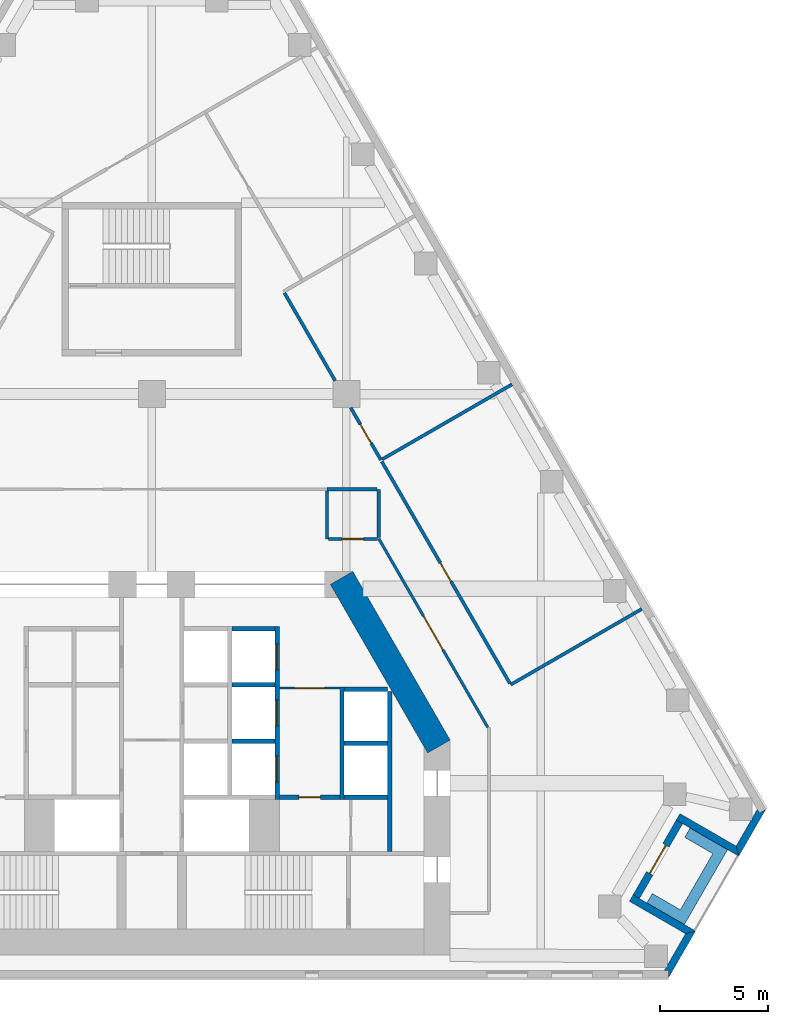
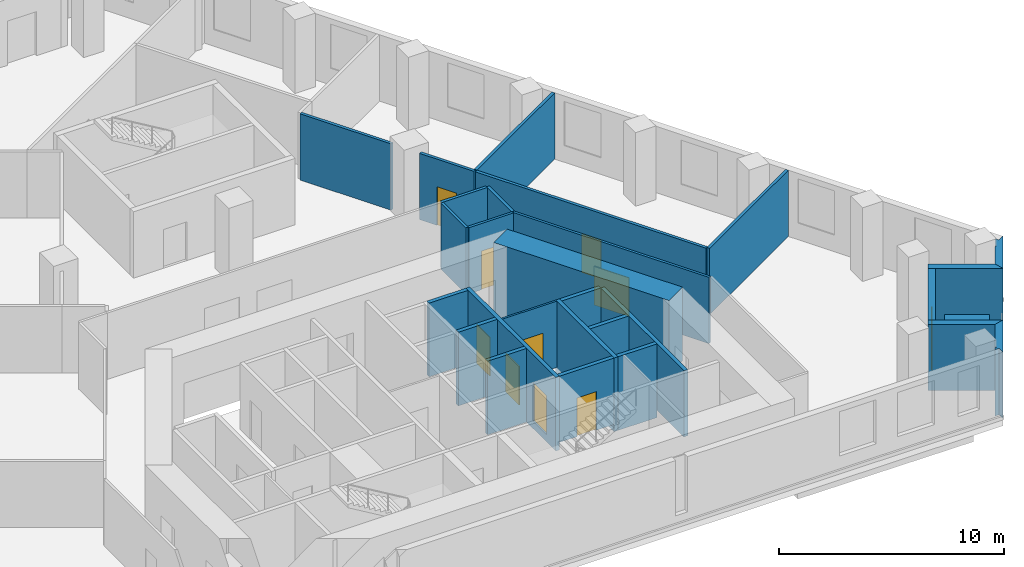
# One storey, part 5 of 7: 28 walls, 10 doors, 10 openings.
"""IFC4 building model written with IfcOpenShell, lengths in metres."""

from ifc_helpers import new_model, si_unit, direction, frame, frame_2d, origin, place, context, subcontext, project, spatial, polyline, rectangle, outline, extrude, material, layer, layer_set, type_object, element, fill, save


model = new_model("IFC4")

# Units and contexts
model_context = context("Model", 3, precision=1e-05, world=origin(), true_north=direction((0.0, 1.0)))
body_context = subcontext(model_context, "Body", "Model", "MODEL_VIEW")
ifc_project = project(units=[si_unit("LENGTHUNIT", "METRE"), si_unit("AREAUNIT", "SQUARE_METRE"), si_unit("VOLUMEUNIT", "CUBIC_METRE"), si_unit("PLANEANGLEUNIT", "RADIAN"), si_unit("MASSUNIT", "GRAM", prefix="KILO")], contexts=[model_context])

# Site, building, storey
site_placement = place(None, origin())
site = spatial("IfcSite", under=ifc_project, at=site_placement, CompositionType="ELEMENT")
building_placement = place(site_placement, origin())
building = spatial("IfcBuilding", under=site, at=building_placement, Name="Fogline Exchange Tower", CompositionType="ELEMENT")
storey_placement = place(building_placement, frame((0.0, 0.0, 166.89990234375)))
storey = spatial("IfcBuildingStorey", under=building, at=storey_placement, Name="L37", CompositionType="ELEMENT", Elevation=166.89990234375)

# Wall, opening, door
ifc_material_1 = material(Name="Blockwork partition", Category="masonry")
ifc_layer_1 = layer(ifc_material_1, 0.10009765625)
ifc_layer_set_1 = layer_set([ifc_layer_1], Name="CW10")
wall_type_1 = type_object("IfcWallType", Name="CW10", PredefinedType="PARTITIONING", material=ifc_layer_set_1)
wall_1_placement = place(storey_placement, frame((5.89990234375, 13.39990234375, 0.0), z_axis=(0.0, 0.0, 1.0), x_axis=(1.0, 0.0, 0.0)))
wall_1 = element("IfcWall", 1, at=wall_1_placement, inside=storey, type_object=wall_type_1, Name="Lift lobby partition", PredefinedType="PARTITIONING", context=body_context, shape_type="SweptSolid", body=[
    extrude(rectangle(XDim=2.800048828125, YDim=0.10009765625, at=frame_2d((1.39990234375, 0.0))), origin(), (0.0, 0.0, 1.0), 3.60009765625),
])
opening_1_placement = place(wall_1_placement, frame((0.699951171875, 0.0, 0.0)))
opening_1 = element("IfcOpeningElement", 2, at=opening_1_placement, cuts=wall_1, Name="Opening T12-C013", PredefinedType="OPENING", context=body_context, shape_type="SweptSolid", body=[
    extrude(rectangle(XDim=1.39990234375, YDim=2.10009765625, at=frame_2d((0.699951171875, 1.050048828125))), frame((0.0, 0.06005859375, 0.0), z_axis=(0.0, -1.0, 0.0), x_axis=(1.0, 0.0, 0.0)), (0.0, 0.0, 1.0), 0.1201171875),
])
ifc_material_2 = material(Name="Steel and timber fire door", Category="steel")
door_type_1 = type_object("IfcDoorType", Name="D-LB1", OperationType="DOUBLE_DOOR_SINGLE_SWING", PredefinedType="DOOR", material=ifc_material_2)
door_1_placement = place(opening_1_placement, frame((1.39990234375, 0.0, 0.0), z_axis=(0.0, 0.0, 1.0), x_axis=(-1.0, 0.0, 0.0)))
door_1 = element("IfcDoor", 3, at=door_1_placement, inside=storey, type_object=door_type_1, Name="Door to lift lobby", OperationType="DOUBLE_DOOR_SINGLE_SWING", OverallHeight=2.10009765625, OverallWidth=1.39990234375, PredefinedType="DOOR", context=body_context, shape_type="SweptSolid", body=[
    extrude(rectangle(XDim=1.39990234375, YDim=2.10009765625, at=frame_2d((0.699951171875, 1.050048828125))), frame((0.0, 0.02490234375, 0.0), z_axis=(0.0, -1.0, 0.0), x_axis=(1.0, 0.0, 0.0)), (0.0, 0.0, 1.0), 0.050048828125),
])
fill(opening_1, door_1)

# Wall
ifc_material_3 = material(Name="Concrete C40", Category="concrete")
ifc_layer_2 = layer(ifc_material_3, 0.199951171875)
ifc_layer_set_2 = layer_set([ifc_layer_2], Name="CW20")
wall_type_2 = type_object("IfcWallType", Name="CW20", PredefinedType="SOLIDWALL", material=ifc_layer_set_2)
wall_2_placement = place(storey_placement, frame((11.0, 5.85009765625, 0.0), z_axis=(0.0, 0.0, 1.0), x_axis=(0.0, 1.0, 0.0)))
element("IfcWall", 4, at=wall_2_placement, inside=storey, type_object=wall_type_2, Name="Service room wall", PredefinedType="SOLIDWALL", context=body_context, shape_type="SweptSolid", body=[
    extrude(rectangle(XDim=7.39990234375, YDim=0.199951171875, at=frame_2d((3.699951171875, 0.0))), origin(), (0.0, 0.0, 1.0), 3.60009765625),
])

# Wall, opening, door
wall_3_placement = place(storey_placement, frame((5.89990234375, 8.35009765625, 0.0), z_axis=(0.0, 0.0, 1.0), x_axis=(1.0, 0.0, 0.0)))
wall_3 = element("IfcWall", 5, at=wall_3_placement, inside=storey, type_object=wall_type_2, Name="WC wall", PredefinedType="SOLIDWALL", context=body_context, shape_type="SweptSolid", body=[
    extrude(rectangle(XDim=2.800048828125, YDim=0.199951171875, at=frame_2d((1.39990234375, 0.0))), origin(), (0.0, 0.0, 1.0), 3.60009765625),
])
opening_2_placement = place(wall_3_placement, frame((0.89990234375, 0.0, 0.0)))
opening_2 = element("IfcOpeningElement", 6, at=opening_2_placement, cuts=wall_3, Name="Opening T12-C014", PredefinedType="OPENING", context=body_context, shape_type="SweptSolid", body=[
    extrude(rectangle(XDim=1.0, YDim=2.10009765625, at=frame_2d((0.5, 1.050048828125))), frame((0.0, 0.10986328125, 0.0), z_axis=(0.0, -1.0, 0.0), x_axis=(1.0, 0.0, 0.0)), (0.0, 0.0, 1.0), 0.219970703125),
])
door_type_2 = type_object("IfcDoorType", Name="D-WC1", OperationType="SINGLE_SWING_LEFT", PredefinedType="DOOR", material=ifc_material_2)
door_2_placement = place(opening_2_placement, frame((1.0, 0.0, 0.0), z_axis=(0.0, 0.0, 1.0), x_axis=(-1.0, 0.0, 0.0)))
door_2 = element("IfcDoor", 7, at=door_2_placement, inside=storey, type_object=door_type_2, Name="Door to Women's WC", OperationType="SINGLE_SWING_LEFT", OverallHeight=2.10009765625, OverallWidth=1.0, PredefinedType="DOOR", context=body_context, shape_type="SweptSolid", body=[
    extrude(rectangle(XDim=1.0, YDim=2.10009765625, at=frame_2d((0.5, 1.050048828125))), frame((0.0, 0.02490234375, 0.0), z_axis=(0.0, -1.0, 0.0), x_axis=(1.0, 0.0, 0.0)), (0.0, 0.0, 1.0), 0.050048828125),
])
fill(opening_2, door_2)

# Wall
ifc_layer_3 = layer(ifc_material_3, 0.199951171875)
ifc_layer_set_3 = layer_set([ifc_layer_3], Name="CW20S")
wall_type_3 = type_object("IfcWallType", Name="CW20S", PredefinedType="SOLIDWALL", material=ifc_layer_set_3)
wall_4_placement = place(storey_placement, frame((8.800048828125, 8.25, -0.39990234375), z_axis=(0.0, 0.0, 1.0), x_axis=(0.0, 1.0, 0.0)))
element("IfcWall", 8, at=wall_4_placement, inside=storey, type_object=wall_type_3, Name="Lift shaft wall", PredefinedType="SOLIDWALL", context=body_context, shape_type="SweptSolid", body=[
    extrude(rectangle(XDim=5.199951171875, YDim=0.199951171875, at=frame_2d((2.60009765625, 0.0))), origin(), (0.0, 0.0, 1.0), 4.0),
])

# Wall, openings, doors
wall_5_placement = place(storey_placement, frame((5.800048828125, 8.25, -0.39990234375), z_axis=(0.0, 0.0, 1.0), x_axis=(0.0, 1.0, 0.0)))
wall_5 = element("IfcWall", 9, at=wall_5_placement, inside=storey, type_object=wall_type_3, Name="Lift shaft wall", PredefinedType="SOLIDWALL", context=body_context, shape_type="SweptSolid", body=[
    extrude(rectangle(XDim=8.0, YDim=0.199951171875, at=frame_2d((4.0, 0.0))), origin(), (0.0, 0.0, 1.0), 4.0),
])
opening_3_placement = place(wall_5_placement, frame((0.800048828125, 0.0, 0.39990234375)))
opening_3 = element("IfcOpeningElement", 10, at=opening_3_placement, cuts=wall_5, Name="Opening T12-LD02", PredefinedType="OPENING", context=body_context, shape_type="SweptSolid", body=[
    extrude(rectangle(XDim=1.199951171875, YDim=2.10009765625, at=frame_2d((0.60009765625, 1.050048828125))), frame((0.0, 0.10986328125, 0.0), z_axis=(0.0, -1.0, 0.0), x_axis=(1.0, 0.0, 0.0)), (0.0, 0.0, 1.0), 0.219970703125),
])
opening_4_placement = place(wall_5_placement, frame((3.39990234375, 0.0, 0.39990234375)))
opening_4 = element("IfcOpeningElement", 11, at=opening_4_placement, cuts=wall_5, Name="Opening T12-LD03", PredefinedType="OPENING", context=body_context, shape_type="SweptSolid", body=[
    extrude(rectangle(XDim=1.199951171875, YDim=2.10009765625, at=frame_2d((0.60009765625, 1.050048828125))), frame((0.0, 0.10986328125, 0.0), z_axis=(0.0, -1.0, 0.0), x_axis=(1.0, 0.0, 0.0)), (0.0, 0.0, 1.0), 0.219970703125),
])
opening_5_placement = place(wall_5_placement, frame((6.0, 0.0, 0.39990234375)))
opening_5 = element("IfcOpeningElement", 12, at=opening_5_placement, cuts=wall_5, Name="Opening T12-LD04", PredefinedType="OPENING", context=body_context, shape_type="SweptSolid", body=[
    extrude(rectangle(XDim=1.199951171875, YDim=2.10009765625, at=frame_2d((0.60009765625, 1.050048828125))), frame((0.0, 0.10986328125, 0.0), z_axis=(0.0, -1.0, 0.0), x_axis=(1.0, 0.0, 0.0)), (0.0, 0.0, 1.0), 0.219970703125),
])
door_type_3 = type_object("IfcDoorType", Name="LD1", OperationType="SLIDING_TO_LEFT", PredefinedType="DOOR", material=ifc_material_2)
door_3_placement = place(opening_3_placement, origin())
door_3 = element("IfcDoor", 13, at=door_3_placement, inside=storey, type_object=door_type_3, Name="Landing door MR1", OperationType="SLIDING_TO_LEFT", OverallHeight=2.10009765625, OverallWidth=1.199951171875, PredefinedType="DOOR", context=body_context, shape_type="SweptSolid", body=[
    extrude(rectangle(XDim=1.199951171875, YDim=2.10009765625, at=frame_2d((0.60009765625, 1.050048828125))), frame((0.0, 0.02490234375, 0.0), z_axis=(0.0, -1.0, 0.0), x_axis=(1.0, 0.0, 0.0)), (0.0, 0.0, 1.0), 0.050048828125),
])
fill(opening_3, door_3)
door_4_placement = place(opening_4_placement, origin())
door_4 = element("IfcDoor", 14, at=door_4_placement, inside=storey, type_object=door_type_3, Name="Landing door MR2", OperationType="SLIDING_TO_LEFT", OverallHeight=2.10009765625, OverallWidth=1.199951171875, PredefinedType="DOOR", context=body_context, shape_type="SweptSolid", body=[
    extrude(rectangle(XDim=1.199951171875, YDim=2.10009765625, at=frame_2d((0.60009765625, 1.050048828125))), frame((0.0, 0.02490234375, 0.0), z_axis=(0.0, -1.0, 0.0), x_axis=(1.0, 0.0, 0.0)), (0.0, 0.0, 1.0), 0.050048828125),
])
fill(opening_4, door_4)
door_5_placement = place(opening_5_placement, origin())
door_5 = element("IfcDoor", 15, at=door_5_placement, inside=storey, type_object=door_type_3, Name="Landing door MR3", OperationType="SLIDING_TO_LEFT", OverallHeight=2.10009765625, OverallWidth=1.199951171875, PredefinedType="DOOR", context=body_context, shape_type="SweptSolid", body=[
    extrude(rectangle(XDim=1.199951171875, YDim=2.10009765625, at=frame_2d((0.60009765625, 1.050048828125))), frame((0.0, 0.02490234375, 0.0), z_axis=(0.0, -1.0, 0.0), x_axis=(1.0, 0.0, 0.0)), (0.0, 0.0, 1.0), 0.050048828125),
])
fill(opening_5, door_5)

# Walls
for number, where, z_axis, x_axis, name in (
    (16, (8.89990234375, 8.35009765625, -0.39990234375), (0.0, 0.0, 1.0), (1.0, 0.0, 0.0), "Lift shaft wall"),
    (17, (8.89990234375, 10.85009765625, -0.39990234375), (0.0, 0.0, 1.0), (1.0, 0.0, 0.0), "Lift shaft wall"),
    (18, (8.89990234375, 13.35009765625, -0.39990234375), (0.0, 0.0, 1.0), (1.0, 0.0, 0.0), "Lift shaft wall"),
    (19, (3.699951171875, 10.949951171875, -0.39990234375), (0.0, 0.0, 1.0), (1.0, 0.0, 0.0), "Lift shaft wall"),
    (20, (3.699951171875, 13.550048828125, -0.39990234375), (0.0, 0.0, 1.0), (1.0, 0.0, 0.0), "Lift shaft wall"),
    (21, (3.699951171875, 16.14990234375, -0.39990234375), (0.0, 0.0, 1.0), (1.0, 0.0, 0.0), "Lift shaft wall"),
):
    element("IfcWall", number, at=place(storey_placement, frame(where, z_axis=z_axis, x_axis=x_axis)), inside=storey, type_object=wall_type_3, Name=name, PredefinedType="SOLIDWALL", context=body_context, shape_type="SweptSolid", body=[
        extrude(rectangle(XDim=2.0, YDim=0.199951171875, at=frame_2d((1.0, 0.0))), origin(), (0.0, 0.0, 1.0), 4.0),
    ])
ifc_material_4 = material(Name="Brick masonry", Category="masonry")
ifc_layer_4 = layer(ifc_material_4, 0.340087890625)
ifc_layer_set_4 = layer_set([ifc_layer_4], Name="FW1")
wall_type_4 = type_object("IfcWallType", Name="FW1", PredefinedType="SOLIDWALL", material=ifc_layer_set_4)
wall_6_placement = place(storey_placement, origin())
element("IfcWall", 22, at=wall_6_placement, inside=storey, type_object=wall_type_4, Name="Brick wall L37 SE-c1", PredefinedType="SOLIDWALL", context=body_context, shape_type="SweptSolid", body=[
    extrude(outline(polyline([(25.15478515625, 2.165771484375), (23.903564453125, -0.001220703125), (23.903076171875, -0.0009765625), (23.903076171875, 0.33935546875), (23.706298828125, 0.33935546875), (23.78466796875, 0.47509765625), (23.851318359375, 0.47509765625), (23.851318359375, 0.590576171875), (24.68896484375, 2.041015625), (25.154541015625, 2.166015625), (25.15478515625, 2.165771484375)])), origin(), (0.0, 0.0, 1.0), 3.60009765625),
])
wall_7_placement = place(storey_placement, origin())
element("IfcWall", 23, at=wall_7_placement, inside=storey, type_object=wall_type_4, Name="Brick wall L37 SE-s1", PredefinedType="SOLIDWALL", context=body_context, shape_type="SweptSolid", body=[
    extrude(outline(polyline([(22.09033203125, 3.540283203125), (22.260986328125, 3.8359375), (22.555908203125, 3.66552734375), (25.155029296875, 2.1650390625), (25.15478515625, 2.164794921875), (24.689208984375, 2.0400390625), (22.09033203125, 3.540283203125)])), origin(), (0.0, 0.0, 1.0), 3.60009765625),
])

# Wall, opening, door
wall_8_placement = place(storey_placement, frame((22.408447265625, 3.75, 0.0), z_axis=(0.0, 0.0, 1.0), x_axis=(0.49999894854, 0.866026010844, 0.0)))
wall_8 = element("IfcWall", 24, at=wall_8_placement, inside=storey, type_object=wall_type_4, Name="Brick wall L37 SE-bk", PredefinedType="SOLIDWALL", context=body_context, shape_type="SweptSolid", body=[
    extrude(rectangle(XDim=4.0, YDim=0.340087890625, at=frame_2d((2.0, 0.0))), origin(), (0.0, 0.0, 1.0), 3.60009765625),
])
opening_6_placement = place(wall_8_placement, frame((1.25, 0.0, 0.0)))
opening_6 = element("IfcOpeningElement", 25, at=opening_6_placement, cuts=wall_8, Name="Opening T12-E081", PredefinedType="OPENING", context=body_context, shape_type="SweptSolid", body=[
    extrude(rectangle(XDim=1.5, YDim=2.39990234375, at=frame_2d((0.75, 1.199951171875))), frame((0.0, 0.18017578125, 0.0), z_axis=(0.0, -1.0, 0.0), x_axis=(1.0, 0.0, 0.0)), (0.0, 0.0, 1.0), 0.360107421875),
])
ifc_material_5 = material(Name="Aluminium and glass", Category="aluminium")
door_type_4 = type_object("IfcDoorType", Name="ED4", OperationType="SINGLE_SWING_LEFT", PredefinedType="DOOR", material=ifc_material_5)
door_6_placement = place(opening_6_placement, frame((1.5, 0.0, 0.0), z_axis=(0.0, 0.0, 1.0), x_axis=(-1.0, 0.0, 0.0)))
door_6 = element("IfcDoor", 26, at=door_6_placement, inside=storey, type_object=door_type_4, Name="Balcony door L37 SE", OperationType="DOUBLE_DOOR_SINGLE_SWING", OverallHeight=2.39990234375, OverallWidth=1.5, PredefinedType="DOOR", context=body_context, shape_type="SweptSolid", body=[
    extrude(rectangle(XDim=1.5, YDim=2.39990234375, at=frame_2d((0.75, 1.199951171875))), frame((0.0, 0.02490234375, 0.0), z_axis=(0.0, -1.0, 0.0), x_axis=(1.0, 0.0, 0.0)), (0.0, 0.0, 1.0), 0.050048828125),
])
fill(opening_6, door_6)

# Walls
wall_9_placement = place(storey_placement, origin())
element("IfcWall", 27, at=wall_9_placement, inside=storey, type_object=wall_type_4, Name="Brick wall L37 SE-s2", PredefinedType="SOLIDWALL", context=body_context, shape_type="SweptSolid", body=[
    extrude(outline(polyline([(27.154296875, 5.628173828125), (24.555419921875, 7.128662109375), (24.26025390625, 7.298828125), (24.430908203125, 7.594482421875), (27.02978515625, 6.093994140625), (27.154541015625, 5.62841796875), (27.154296875, 5.628173828125)])), origin(), (0.0, 0.0, 1.0), 3.60009765625),
])
wall_10_placement = place(storey_placement, origin())
element("IfcWall", 28, at=wall_10_placement, inside=storey, type_object=wall_type_4, Name="Brick wall L37 SE-c2", PredefinedType="SOLIDWALL", context=body_context, shape_type="SweptSolid", body=[
    extrude(outline(polyline([(27.707275390625, 7.269287109375), (27.77392578125, 7.269287109375), (27.77392578125, 7.384765625), (28.010986328125, 7.79541015625), (28.109375, 7.625), (28.404296875, 7.79541015625), (28.40478515625, 7.794921875), (27.15380859375, 5.6279296875), (27.1533203125, 5.6279296875), (27.028564453125, 6.09375), (27.707275390625, 7.269287109375)])), origin(), (0.0, 0.0, 1.0), 3.60009765625),
])
ifc_material_6 = material(Name="Concrete C30", Category="concrete")
ifc_layer_5 = layer(ifc_material_6, 0.199951171875)
ifc_layer_set_5 = layer_set([ifc_layer_5], Name="PL1")
wall_type_5 = type_object("IfcWallType", Name="PL1", PredefinedType="USERDEFINED", material=ifc_layer_set_5)
wall_11_placement = place(storey_placement, origin())
element("IfcWall", 29, at=wall_11_placement, inside=storey, type_object=wall_type_5, Name="PLANTER balcony L37 SE", ObjectType="PLANTER", PredefinedType="USERDEFINED", context=body_context, shape_type="SweptSolid", body=[
    extrude(outline(polyline([(22.902099609375, 3.465087890625), (24.201171875, 2.715087890625), (24.201171875, 2.715087890625), (24.634033203125, 2.465087890625), (26.384033203125, 5.49609375), (26.634033203125, 5.92919921875), (24.902099609375, 6.92919921875), (24.652099609375, 6.49609375), (25.951171875, 5.74609375), (24.451171875, 3.148193359375), (23.152099609375, 3.898193359375), (22.902099609375, 3.465087890625)])), origin(), (0.0, 0.0, 1.0), 1.10009765625),
])

# Wall, opening, door
ifc_material_7 = material(Name="Plasterboard corridor partition with mineral wool, 2 layers each side")
ifc_layer_6 = layer(ifc_material_7, 0.125)
ifc_layer_set_6 = layer_set([ifc_layer_6], Name="PW2")
wall_type_6 = type_object("IfcWallType", Name="PW2", PredefinedType="PARTITIONING", material=ifc_layer_set_6)
wall_12_placement = place(storey_placement, frame((10.5, 20.314697265625, 0.0), z_axis=(0.0, 0.0, 1.0), x_axis=(0.500011923756, -0.866018519491, 0.0)))
wall_12 = element("IfcWall", 30, at=wall_12_placement, inside=storey, type_object=wall_type_6, Name="wall-L37-W001", PredefinedType="PARTITIONING", context=body_context, shape_type="SweptSolid", body=[
    extrude(rectangle(XDim=10.074951171875, YDim=0.125, at=frame_2d((5.03759765625, 0.0))), origin(), (0.0, 0.0, 1.0), 3.60009765625),
])
opening_7_placement = place(wall_12_placement, frame((4.137451171875, 0.0, 0.0)))
opening_7 = element("IfcOpeningElement", 31, at=opening_7_placement, cuts=wall_12, Name="Opening T12-D001", PredefinedType="OPENING", context=body_context, shape_type="SweptSolid", body=[
    extrude(rectangle(XDim=1.800048828125, YDim=2.10009765625, at=frame_2d((0.89990234375, 1.050048828125))), frame((0.0, 0.072509765625, 0.0), z_axis=(0.0, -1.0, 0.0), x_axis=(1.0, 0.0, 0.0)), (0.0, 0.0, 1.0), 0.14501953125),
])
ifc_material_8 = material(Name="Fire-rated timber door leaves with steel frame", Category="steel")
door_type_5 = type_object("IfcDoorType", Name="D4", OperationType="DOUBLE_DOOR_SINGLE_SWING", PredefinedType="DOOR", material=ifc_material_8)
door_7_placement = place(opening_7_placement, frame((1.800048828125, 0.0, 0.0), z_axis=(0.0, 0.0, 1.0), x_axis=(-1.0, 0.0, 0.0)))
door_7 = element("IfcDoor", 32, at=door_7_placement, inside=storey, type_object=door_type_5, Name="door-L37-D001", OperationType="DOUBLE_DOOR_SINGLE_SWING", OverallHeight=2.10009765625, OverallWidth=1.800048828125, PredefinedType="DOOR", context=body_context, shape_type="SweptSolid", body=[
    extrude(rectangle(XDim=1.800048828125, YDim=2.10009765625, at=frame_2d((0.89990234375, 1.050048828125))), frame((0.0, 0.02490234375, 0.0), z_axis=(0.0, -1.0, 0.0), x_axis=(1.0, 0.0, 0.0)), (0.0, 0.0, 1.0), 0.050048828125),
])
fill(opening_7, door_7)

# Wall
wall_13_placement = place(storey_placement, frame((8.10009765625, 22.5244140625, 0.0), z_axis=(0.0, 0.0, 1.0), x_axis=(0.0, -1.0, 0.0)))
element("IfcWall", 33, at=wall_13_placement, inside=storey, type_object=wall_type_6, Name="wall-L37-W004", PredefinedType="PARTITIONING", context=body_context, shape_type="SweptSolid", body=[
    extrude(rectangle(XDim=2.224365234375, YDim=0.125, at=frame_2d((1.1123046875, 0.0))), origin(), (0.0, 0.0, 1.0), 3.60009765625),
])

# Wall, opening, door
wall_14_placement = place(storey_placement, frame((8.16259765625, 20.300048828125, 0.0), z_axis=(0.0, 0.0, 1.0), x_axis=(1.0, 0.0, 0.0)))
wall_14 = element("IfcWall", 34, at=wall_14_placement, inside=storey, type_object=wall_type_6, Name="wall-L37-W005", PredefinedType="PARTITIONING", context=body_context, shape_type="SweptSolid", body=[
    extrude(rectangle(XDim=2.28271484375, YDim=0.125, at=frame_2d((1.141357421875, 0.0))), origin(), (0.0, 0.0, 1.0), 3.60009765625),
])
opening_8_placement = place(wall_14_placement, frame((0.6416015625, 0.0, 0.0)))
opening_8 = element("IfcOpeningElement", 35, at=opening_8_placement, cuts=wall_14, Name="Opening T12-D002", PredefinedType="OPENING", context=body_context, shape_type="SweptSolid", body=[
    extrude(rectangle(XDim=1.0, YDim=2.10009765625, at=frame_2d((0.5, 1.050048828125))), frame((0.0, 0.072509765625, 0.0), z_axis=(0.0, -1.0, 0.0), x_axis=(1.0, 0.0, 0.0)), (0.0, 0.0, 1.0), 0.14501953125),
])
ifc_material_9 = material(Name="Fire-rated timber door leaf with steel frame", Category="steel")
door_type_6 = type_object("IfcDoorType", Name="D3", OperationType="SINGLE_SWING_LEFT", PredefinedType="DOOR", material=ifc_material_9)
door_8_placement = place(opening_8_placement, origin())
door_8 = element("IfcDoor", 36, at=door_8_placement, inside=storey, type_object=door_type_6, Name="door-L37-D002", OperationType="SINGLE_SWING_LEFT", OverallHeight=2.10009765625, OverallWidth=1.0, PredefinedType="DOOR", context=body_context, shape_type="SweptSolid", body=[
    extrude(rectangle(XDim=1.0, YDim=2.10009765625, at=frame_2d((0.5, 1.050048828125))), frame((0.0, 0.02490234375, 0.0), z_axis=(0.0, -1.0, 0.0), x_axis=(1.0, 0.0, 0.0)), (0.0, 0.0, 1.0), 0.050048828125),
])
fill(opening_8, door_8)

# Walls
ifc_material_10 = material(Name="Plasterboard demising partition with mineral wool and acoustic board")
ifc_layer_7 = layer(ifc_material_10, 0.14990234375)
ifc_layer_set_7 = layer_set([ifc_layer_7], Name="PW3")
wall_type_7 = type_object("IfcWallType", Name="PW3", PredefinedType="PARTITIONING", material=ifc_layer_set_7)
wall_15_placement = place(storey_placement, frame((10.665283203125, 23.989013671875, 0.0), z_axis=(0.0, 0.0, 1.0), x_axis=(0.866017078145, 0.500014420154, 0.0)))
element("IfcWall", 37, at=wall_15_placement, inside=storey, type_object=wall_type_7, Name="wall-L37-W013", PredefinedType="PARTITIONING", context=body_context, shape_type="SweptSolid", body=[
    extrude(rectangle(XDim=6.924560546875, YDim=0.14990234375, at=frame_2d((3.46240234375, 0.0))), origin(), (0.0, 0.0, 1.0), 3.60009765625),
])
wall_16_placement = place(storey_placement, frame((22.662109375, 17.05908203125, 0.0), z_axis=(0.0, 0.0, 1.0), x_axis=(-0.866028190633, -0.499995173006, 0.0)))
element("IfcWall", 38, at=wall_16_placement, inside=storey, type_object=wall_type_7, Name="wall-L37-W014", PredefinedType="PARTITIONING", context=body_context, shape_type="SweptSolid", body=[
    extrude(rectangle(XDim=7.0, YDim=0.14990234375, at=frame_2d((3.5, 0.0))), origin(), (0.0, 0.0, 1.0), 3.60009765625),
])

# Wall, opening, door
wall_17_placement = place(storey_placement, frame((16.5625, 13.6240234375, 0.0), z_axis=(0.0, 0.0, 1.0), x_axis=(-0.500003648888, 0.866023297088, 0.0)))
wall_17 = element("IfcWall", 39, at=wall_17_placement, inside=storey, type_object=wall_type_7, Name="wall-L37-W015", PredefinedType="PARTITIONING", context=body_context, shape_type="SweptSolid", body=[
    extrude(rectangle(XDim=11.849609375, YDim=0.14990234375, at=frame_2d((5.9248046875, 0.0))), origin(), (0.0, 0.0, 1.0), 3.60009765625),
])
opening_9_placement = place(wall_17_placement, frame((5.4248046875, 0.0, 0.0)))
opening_9 = element("IfcOpeningElement", 40, at=opening_9_placement, cuts=wall_17, Name="Opening T12-D007", PredefinedType="OPENING", context=body_context, shape_type="SweptSolid", body=[
    extrude(rectangle(XDim=1.0, YDim=2.10009765625, at=frame_2d((0.5, 1.050048828125))), frame((0.0, 0.0849609375, 0.0), z_axis=(0.0, -1.0, 0.0), x_axis=(1.0, 0.0, 0.0)), (0.0, 0.0, 1.0), 0.169921875),
])
door_9_placement = place(opening_9_placement, frame((1.0, 0.0, 0.0), z_axis=(0.0, 0.0, 1.0), x_axis=(-1.0, 0.0, 0.0)))
door_9 = element("IfcDoor", 41, at=door_9_placement, inside=storey, type_object=door_type_6, Name="door-L37-D007", OperationType="SINGLE_SWING_LEFT", OverallHeight=2.10009765625, OverallWidth=1.0, PredefinedType="DOOR", context=body_context, shape_type="SweptSolid", body=[
    extrude(rectangle(XDim=1.0, YDim=2.10009765625, at=frame_2d((0.5, 1.050048828125))), frame((0.0, 0.02490234375, 0.0), z_axis=(0.0, -1.0, 0.0), x_axis=(1.0, 0.0, 0.0)), (0.0, 0.0, 1.0), 0.050048828125),
])
fill(opening_9, door_9)

# Walls
wall_18_placement = place(storey_placement, frame((10.5, 22.60009765625, 0.0), z_axis=(0.0, 0.0, 1.0), x_axis=(0.0, -1.0, 0.0)))
element("IfcWall", 42, at=wall_18_placement, inside=storey, type_object=wall_type_7, Name="wall-L37-W016", PredefinedType="PARTITIONING", context=body_context, shape_type="SweptSolid", body=[
    extrude(rectangle(XDim=2.237548828125, YDim=0.14990234375, at=frame_2d((1.11865234375, 0.0))), origin(), (0.0, 0.0, 1.0), 3.60009765625),
])
wall_19_placement = place(storey_placement, frame((8.10009765625, 22.60009765625, 0.0), z_axis=(0.0, 0.0, 1.0), x_axis=(1.0, 0.0, 0.0)))
element("IfcWall", 43, at=wall_19_placement, inside=storey, type_object=wall_type_7, Name="wall-L37-W017", PredefinedType="PARTITIONING", context=body_context, shape_type="SweptSolid", body=[
    extrude(rectangle(XDim=2.324951171875, YDim=0.14990234375, at=frame_2d((1.16259765625, 0.0))), origin(), (0.0, 0.0, 1.0), 3.60009765625),
])

# Wall, opening, door
wall_20_placement = place(storey_placement, frame((10.599853515625, 23.951416015625, 0.0), z_axis=(0.0, 0.0, 1.0), x_axis=(-0.499976698542, 0.86603885647, 0.0)))
wall_20 = element("IfcWall", 44, at=wall_20_placement, inside=storey, type_object=wall_type_7, Name="wall-L37-W019", PredefinedType="PARTITIONING", context=body_context, shape_type="SweptSolid", body=[
    extrude(rectangle(XDim=2.798583984375, YDim=0.14990234375, at=frame_2d((1.3994140625, 0.0))), origin(), (0.0, 0.0, 1.0), 3.60009765625),
])
opening_10_placement = place(wall_20_placement, frame((0.8994140625, 0.0, 0.0)))
opening_10 = element("IfcOpeningElement", 45, at=opening_10_placement, cuts=wall_20, Name="Opening T12-D008", PredefinedType="OPENING", context=body_context, shape_type="SweptSolid", body=[
    extrude(rectangle(XDim=1.0, YDim=2.10009765625, at=frame_2d((0.5, 1.050048828125))), frame((0.0, 0.0849609375, 0.0), z_axis=(0.0, -1.0, 0.0), x_axis=(1.0, 0.0, 0.0)), (0.0, 0.0, 1.0), 0.169921875),
])
door_10_placement = place(opening_10_placement, frame((1.0, 0.0, 0.0), z_axis=(0.0, 0.0, 1.0), x_axis=(-1.0, 0.0, 0.0)))
door_10 = element("IfcDoor", 46, at=door_10_placement, inside=storey, type_object=door_type_6, Name="door-L37-D008", OperationType="SINGLE_SWING_RIGHT", OverallHeight=2.10009765625, OverallWidth=1.0, PredefinedType="DOOR", context=body_context, shape_type="SweptSolid", body=[
    extrude(rectangle(XDim=1.0, YDim=2.10009765625, at=frame_2d((0.5, 1.050048828125))), frame((0.0, 0.02490234375, 0.0), z_axis=(0.0, -1.0, 0.0), x_axis=(1.0, 0.0, 0.0)), (0.0, 0.0, 1.0), 0.050048828125),
])
fill(opening_10, door_10)

# Walls
wall_21_placement = place(storey_placement, frame((8.47900390625, 27.625, 0.0), z_axis=(0.0, 0.0, 1.0), x_axis=(-0.500024816419, 0.866011075544, 0.0)))
element("IfcWall", 47, at=wall_21_placement, inside=storey, type_object=wall_type_7, Name="wall-L37-W020", PredefinedType="PARTITIONING", context=body_context, shape_type="SweptSolid", body=[
    extrude(rectangle(XDim=4.682861328125, YDim=0.14990234375, at=frame_2d((2.34130859375, 0.0))), origin(), (0.0, 0.0, 1.0), 3.60009765625),
])
ifc_material_11 = material(Name="Concrete C60", Category="concrete")
ifc_layer_8 = layer(ifc_material_11, 1.199951171875)
ifc_layer_set_8 = layer_set([ifc_layer_8], Name="SW02")
wall_type_8 = type_object("IfcWallType", Name="SW02", PredefinedType="SHEAR", material=ifc_layer_set_8)
wall_22_placement = place(storey_placement, frame((13.280517578125, 10.698974609375, 0.0), z_axis=(0.0, 0.0, 1.0), x_axis=(-0.499998513025, 0.866026262288, 0.0)))
element("IfcWall", 48, at=wall_22_placement, inside=storey, type_object=wall_type_8, Name="L37-W903", PredefinedType="SHEAR", context=body_context, shape_type="SweptSolid", body=[
    extrude(rectangle(XDim=9.0078125, YDim=1.199951171875, at=frame_2d((4.50390625, 0.0))), origin(), (0.0, 0.0, 1.0), 4.0),
])

save(model, "model.ifc")
